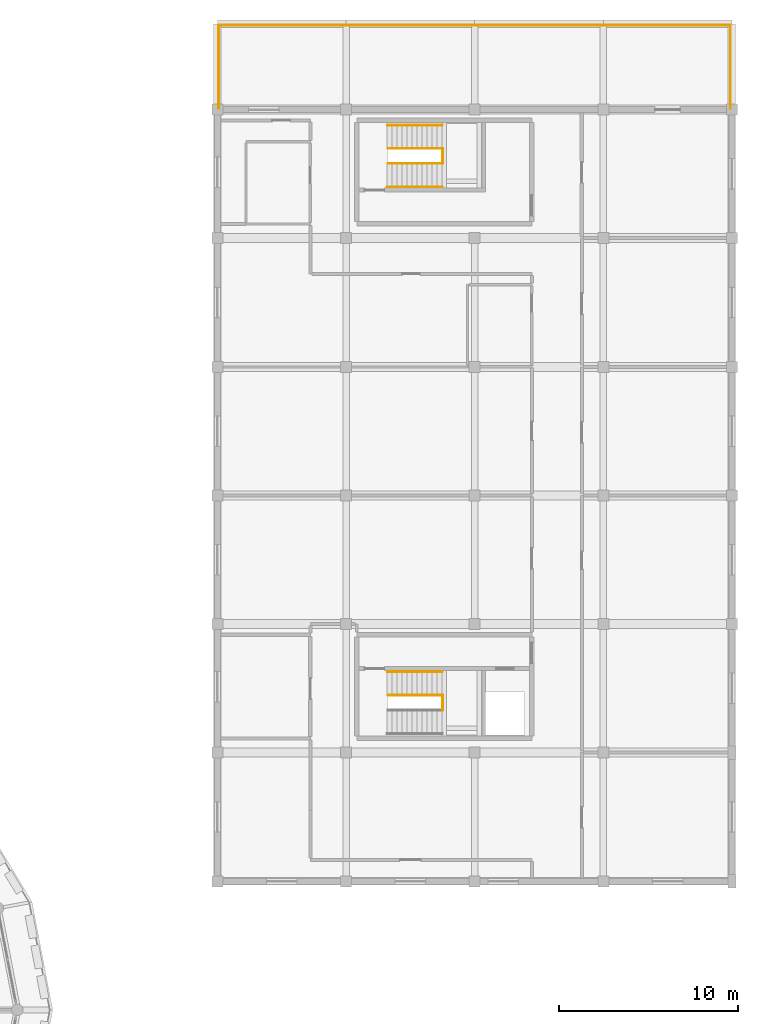
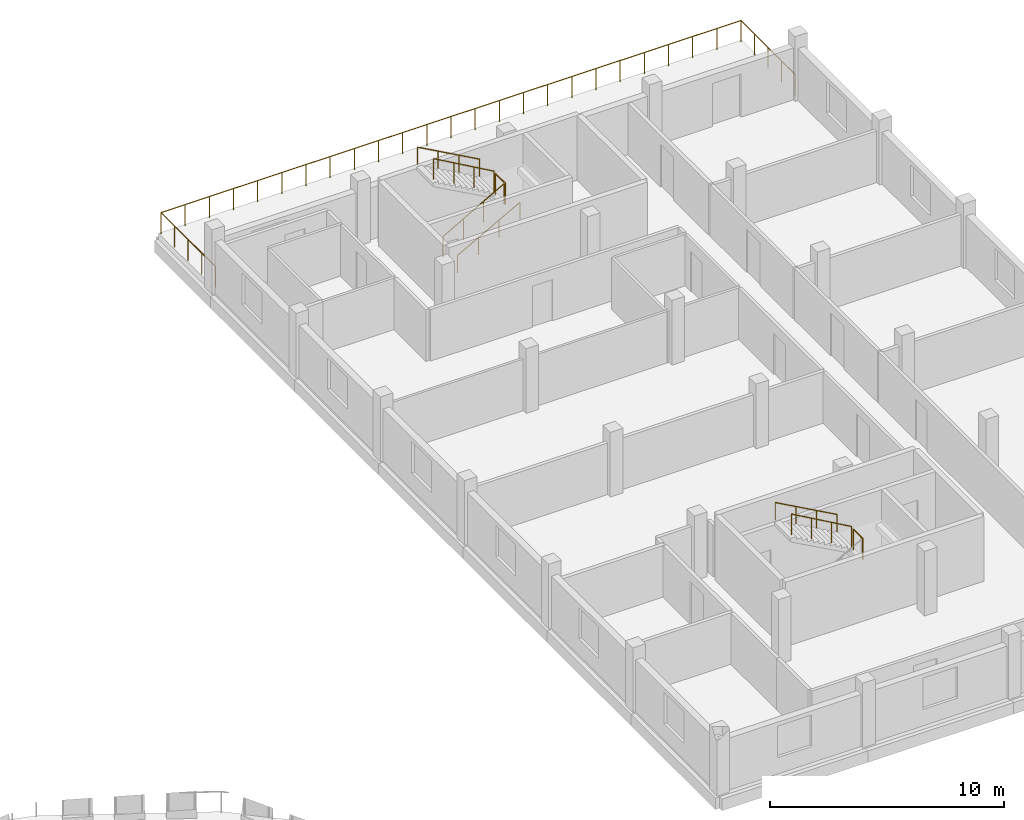
# One storey, part 84 of 84: 11 railings.
"""IFC4 building model written with IfcOpenShell, lengths in metres."""

from ifc_helpers import new_model, si_unit, direction, frame, origin, origin_2d, place, context, subcontext, project, spatial, circle, extrude, material, type_object, element, save


model = new_model("IFC4")

# Units and contexts
model_context = context("Model", 3, precision=1e-05, world=origin(), true_north=direction((0.0, 1.0)))
body_context = subcontext(model_context, "Body", "Model", "MODEL_VIEW")
ifc_project = project(units=[si_unit("LENGTHUNIT", "METRE"), si_unit("AREAUNIT", "SQUARE_METRE"), si_unit("VOLUMEUNIT", "CUBIC_METRE"), si_unit("PLANEANGLEUNIT", "RADIAN"), si_unit("MASSUNIT", "GRAM", prefix="KILO")], contexts=[model_context])

# Site, building, storey
site_placement = place(None, origin())
site = spatial("IfcSite", under=ifc_project, at=site_placement, CompositionType="ELEMENT")
building_placement = place(site_placement, origin())
building = spatial("IfcBuilding", under=site, at=building_placement, Name="Zornivar Specialist Clinic", CompositionType="ELEMENT")
storey_placement = place(building_placement, frame((0.0, 0.0, 12.300048828125)))
storey = spatial("IfcBuildingStorey", under=building, at=storey_placement, Name="L03", CompositionType="ELEMENT", Elevation=12.300048828125)

# Railings
ifc_material_1 = material(Name="Brushed Stainless Steel Stair Guardrail", Category="steel")
railing_type_1 = type_object("IfcRailingType", Name="GRD-INT-STAIR-1100", PredefinedType="GUARDRAIL", material=ifc_material_1)
railing_1_placement = place(storey_placement, frame((149.340087890625, 75.219970703125, 2.00390625)))
element("IfcRailing", 1, at=railing_1_placement, inside=storey, type_object=railing_type_1, Name="stair:C9:L03:grd2", PredefinedType="GUARDRAIL", context=body_context, shape_type="SweptSolid", body=[
    extrude(circle(Radius=0.02392578125, at=origin_2d()), frame((0.0, 0.0, 1.076171875), z_axis=(-0.869096283189, 0.0, 0.49464295259), x_axis=(0.0, -1.0, 0.0)), (0.0, 0.0, 1.0), 3.4287109375),
    extrude(circle(Radius=0.02099609375, at=origin_2d()), origin(), (0.0, 0.0, 1.0), 1.052001953125),
    extrude(circle(Radius=0.02099609375, at=origin_2d()), frame((-0.993408203125, 0.0, 0.5654296875)), (0.0, 0.0, 1.0), 1.052001953125),
    extrude(circle(Radius=0.02099609375, at=origin_2d()), frame((-1.986572265625, 0.0, 1.130615234375)), (0.0, 0.0, 1.0), 1.052001953125),
    extrude(circle(Radius=0.02099609375, at=origin_2d()), frame((-2.97998046875, 0.0, 1.696044921875)), (0.0, 0.0, 1.0), 1.052001953125),
])
railing_2_placement = place(storey_placement, frame((149.409912109375, 74.3798828125, 1.849853515625)))
element("IfcRailing", 2, at=railing_2_placement, inside=storey, type_object=railing_type_1, Name="stair:C9:L03:grdl", PredefinedType="GUARDRAIL", context=body_context, shape_type="SweptSolid", body=[
    extrude(circle(Radius=0.02392578125, at=origin_2d()), frame((0.0, 0.0, 1.076171875), z_axis=(0.0, 1.0, 0.0), x_axis=(-1.0, 0.0, 0.0)), (0.0, 0.0, 1.0), 0.840087890625),
    extrude(circle(Radius=0.02099609375, at=origin_2d()), origin(), (0.0, 0.0, 1.0), 1.052001953125),
    extrude(circle(Radius=0.02099609375, at=origin_2d()), frame((0.0, 0.840087890625, 0.0)), (0.0, 0.0, 1.0), 1.052001953125),
])
railing_3_placement = place(storey_placement, frame((146.340087890625, 104.97998046875, 0.154052734375)))
element("IfcRailing", 3, at=railing_3_placement, inside=storey, type_object=railing_type_1, Name="stair:C10:L03:grd1", PredefinedType="GUARDRAIL", context=body_context, shape_type="SweptSolid", body=[
    extrude(circle(Radius=0.02392578125, at=origin_2d()), frame((0.0, 0.0, 1.076171875), z_axis=(0.870544365607, 0.0, 0.492089938436), x_axis=(0.0, 1.0, 0.0)), (0.0, 0.0, 1.0), 3.446044921875),
    extrude(circle(Radius=0.02099609375, at=origin_2d()), origin(), (0.0, 0.0, 1.0), 1.052001953125),
    extrude(circle(Radius=0.02099609375, at=origin_2d()), frame((1.0, 0.0, 0.565185546875)), (0.0, 0.0, 1.0), 1.052001953125),
    extrude(circle(Radius=0.02099609375, at=origin_2d()), frame((2.0, 0.0, 1.130615234375)), (0.0, 0.0, 1.0), 1.052001953125),
    extrude(circle(Radius=0.02099609375, at=origin_2d()), frame((3.0, 0.0, 1.69580078125)), (0.0, 0.0, 1.0), 1.052001953125),
])
railing_4_placement = place(storey_placement, frame((149.340087890625, 105.820068359375, 2.00390625)))
element("IfcRailing", 4, at=railing_4_placement, inside=storey, type_object=railing_type_1, Name="stair:C10:L03:grd2", PredefinedType="GUARDRAIL", context=body_context, shape_type="SweptSolid", body=[
    extrude(circle(Radius=0.02392578125, at=origin_2d()), frame((0.0, 0.0, 1.076171875), z_axis=(-0.869096283189, 0.0, 0.49464295259), x_axis=(0.0, -1.0, 0.0)), (0.0, 0.0, 1.0), 3.4287109375),
    extrude(circle(Radius=0.02099609375, at=origin_2d()), origin(), (0.0, 0.0, 1.0), 1.052001953125),
    extrude(circle(Radius=0.02099609375, at=origin_2d()), frame((-0.993408203125, 0.0, 0.5654296875)), (0.0, 0.0, 1.0), 1.052001953125),
    extrude(circle(Radius=0.02099609375, at=origin_2d()), frame((-1.986572265625, 0.0, 1.130615234375)), (0.0, 0.0, 1.0), 1.052001953125),
    extrude(circle(Radius=0.02099609375, at=origin_2d()), frame((-2.97998046875, 0.0, 1.696044921875)), (0.0, 0.0, 1.0), 1.052001953125),
])
railing_5_placement = place(storey_placement, frame((149.409912109375, 104.97998046875, 1.849853515625)))
element("IfcRailing", 5, at=railing_5_placement, inside=storey, type_object=railing_type_1, Name="stair:C10:L03:grdl", PredefinedType="GUARDRAIL", context=body_context, shape_type="SweptSolid", body=[
    extrude(circle(Radius=0.02392578125, at=origin_2d()), frame((0.0, 0.0, 1.076171875), z_axis=(0.0, 1.0, 0.0), x_axis=(-1.0, 0.0, 0.0)), (0.0, 0.0, 1.0), 0.840087890625),
    extrude(circle(Radius=0.02099609375, at=origin_2d()), origin(), (0.0, 0.0, 1.0), 1.052001953125),
    extrude(circle(Radius=0.02099609375, at=origin_2d()), frame((0.0, 0.840087890625, 0.0)), (0.0, 0.0, 1.0), 1.052001953125),
])
ifc_material_2 = material(Name="Anodised Bronze Terrace Guardrail")
railing_type_2 = type_object("IfcRailingType", Name="GRD-TERR-GUARD-1120", PredefinedType="GUARDRAIL", material=ifc_material_2)
railing_6_placement = place(storey_placement, frame((165.52001953125, 108.080078125, 0.0)))
element("IfcRailing", 6, at=railing_6_placement, inside=storey, type_object=railing_type_2, Name="rail:V6:L03:terr:0:1", PredefinedType="GUARDRAIL", context=body_context, shape_type="SweptSolid", body=[
    extrude(circle(Radius=0.02392578125, at=origin_2d()), frame((0.0, 0.0, 1.09619140625), z_axis=(0.0, 1.0, 0.0), x_axis=(-1.0, 0.0, 0.0)), (0.0, 0.0, 1.0), 4.639892578125),
    extrude(circle(Radius=0.02099609375, at=origin_2d()), origin(), (0.0, 0.0, 1.0), 1.072021484375),
    extrude(circle(Radius=0.02099609375, at=origin_2d()), frame((0.0, 1.159912109375, 0.0)), (0.0, 0.0, 1.0), 1.072021484375),
    extrude(circle(Radius=0.02099609375, at=origin_2d()), frame((0.0, 2.31982421875, 0.0)), (0.0, 0.0, 1.0), 1.072021484375),
    extrude(circle(Radius=0.02099609375, at=origin_2d()), frame((0.0, 3.47998046875, 0.0)), (0.0, 0.0, 1.0), 1.072021484375),
    extrude(circle(Radius=0.02099609375, at=origin_2d()), frame((0.0, 4.639892578125, 0.0)), (0.0, 0.0, 1.0), 1.072021484375),
])
railing_7_placement = place(storey_placement, frame((165.52001953125, 112.719970703125, 0.0)))
element("IfcRailing", 7, at=railing_7_placement, inside=storey, type_object=railing_type_2, Name="rail:V6:L03:terr:0:2", PredefinedType="GUARDRAIL", context=body_context, shape_type="SweptSolid", body=[
    extrude(circle(Radius=0.02392578125, at=origin_2d()), frame((0.0, 0.0, 1.09619140625), z_axis=(-1.0, 0.0, 0.0), x_axis=(0.0, -1.0, 0.0)), (0.0, 0.0, 1.0), 28.64013671875),
    extrude(circle(Radius=0.02099609375, at=origin_2d()), origin(), (0.0, 0.0, 1.0), 1.072021484375),
    extrude(circle(Radius=0.02099609375, at=origin_2d()), frame((-1.193359375, 0.0, 0.0)), (0.0, 0.0, 1.0), 1.072021484375),
    extrude(circle(Radius=0.02099609375, at=origin_2d()), frame((-2.38671875, 0.0, 0.0)), (0.0, 0.0, 1.0), 1.072021484375),
    extrude(circle(Radius=0.02099609375, at=origin_2d()), frame((-3.580078125, 0.0, 0.0)), (0.0, 0.0, 1.0), 1.072021484375),
    extrude(circle(Radius=0.02099609375, at=origin_2d()), frame((-4.7734375, 0.0, 0.0)), (0.0, 0.0, 1.0), 1.072021484375),
    extrude(circle(Radius=0.02099609375, at=origin_2d()), frame((-5.966796875, 0.0, 0.0)), (0.0, 0.0, 1.0), 1.072021484375),
    extrude(circle(Radius=0.02099609375, at=origin_2d()), frame((-7.16015625, 0.0, 0.0)), (0.0, 0.0, 1.0), 1.072021484375),
    extrude(circle(Radius=0.02099609375, at=origin_2d()), frame((-8.353271484375, 0.0, 0.0)), (0.0, 0.0, 1.0), 1.072021484375),
    extrude(circle(Radius=0.02099609375, at=origin_2d()), frame((-9.546630859375, 0.0, 0.0)), (0.0, 0.0, 1.0), 1.072021484375),
    extrude(circle(Radius=0.02099609375, at=origin_2d()), frame((-10.739990234375, 0.0, 0.0)), (0.0, 0.0, 1.0), 1.072021484375),
    extrude(circle(Radius=0.02099609375, at=origin_2d()), frame((-11.933349609375, 0.0, 0.0)), (0.0, 0.0, 1.0), 1.072021484375),
    extrude(circle(Radius=0.02099609375, at=origin_2d()), frame((-13.126708984375, 0.0, 0.0)), (0.0, 0.0, 1.0), 1.072021484375),
    extrude(circle(Radius=0.02099609375, at=origin_2d()), frame((-14.320068359375, 0.0, 0.0)), (0.0, 0.0, 1.0), 1.072021484375),
    extrude(circle(Radius=0.02099609375, at=origin_2d()), frame((-15.513427734375, 0.0, 0.0)), (0.0, 0.0, 1.0), 1.072021484375),
    extrude(circle(Radius=0.02099609375, at=origin_2d()), frame((-16.706787109375, 0.0, 0.0)), (0.0, 0.0, 1.0), 1.072021484375),
    extrude(circle(Radius=0.02099609375, at=origin_2d()), frame((-17.900146484375, 0.0, 0.0)), (0.0, 0.0, 1.0), 1.072021484375),
    extrude(circle(Radius=0.02099609375, at=origin_2d()), frame((-19.093505859375, 0.0, 0.0)), (0.0, 0.0, 1.0), 1.072021484375),
    extrude(circle(Radius=0.02099609375, at=origin_2d()), frame((-20.286865234375, 0.0, 0.0)), (0.0, 0.0, 1.0), 1.072021484375),
    extrude(circle(Radius=0.02099609375, at=origin_2d()), frame((-21.47998046875, 0.0, 0.0)), (0.0, 0.0, 1.0), 1.072021484375),
    extrude(circle(Radius=0.02099609375, at=origin_2d()), frame((-22.67333984375, 0.0, 0.0)), (0.0, 0.0, 1.0), 1.072021484375),
    extrude(circle(Radius=0.02099609375, at=origin_2d()), frame((-23.86669921875, 0.0, 0.0)), (0.0, 0.0, 1.0), 1.072021484375),
    extrude(circle(Radius=0.02099609375, at=origin_2d()), frame((-25.06005859375, 0.0, 0.0)), (0.0, 0.0, 1.0), 1.072021484375),
    extrude(circle(Radius=0.02099609375, at=origin_2d()), frame((-26.25341796875, 0.0, 0.0)), (0.0, 0.0, 1.0), 1.072021484375),
    extrude(circle(Radius=0.02099609375, at=origin_2d()), frame((-27.44677734375, 0.0, 0.0)), (0.0, 0.0, 1.0), 1.072021484375),
    extrude(circle(Radius=0.02099609375, at=origin_2d()), frame((-28.64013671875, 0.0, 0.0)), (0.0, 0.0, 1.0), 1.072021484375),
])
railing_8_placement = place(storey_placement, frame((136.8798828125, 112.719970703125, 0.0)))
element("IfcRailing", 8, at=railing_8_placement, inside=storey, type_object=railing_type_2, Name="rail:V6:L03:terr:0:3", PredefinedType="GUARDRAIL", context=body_context, shape_type="SweptSolid", body=[
    extrude(circle(Radius=0.02392578125, at=origin_2d()), frame((0.0, 0.0, 1.09619140625), z_axis=(0.0, -1.0, 0.0), x_axis=(1.0, 0.0, 0.0)), (0.0, 0.0, 1.0), 4.639892578125),
    extrude(circle(Radius=0.02099609375, at=origin_2d()), origin(), (0.0, 0.0, 1.0), 1.072021484375),
    extrude(circle(Radius=0.02099609375, at=origin_2d()), frame((0.0, -1.159912109375, 0.0)), (0.0, 0.0, 1.0), 1.072021484375),
    extrude(circle(Radius=0.02099609375, at=origin_2d()), frame((0.0, -2.31982421875, 0.0)), (0.0, 0.0, 1.0), 1.072021484375),
    extrude(circle(Radius=0.02099609375, at=origin_2d()), frame((0.0, -3.47998046875, 0.0)), (0.0, 0.0, 1.0), 1.072021484375),
    extrude(circle(Radius=0.02099609375, at=origin_2d()), frame((0.0, -4.639892578125, 0.0)), (0.0, 0.0, 1.0), 1.072021484375),
])
ifc_material_3 = material(Name="Brushed Stainless Steel Continuous Handrail", Category="steel")
railing_type_3 = type_object("IfcRailingType", Name="HRL-STAIR-0920", PredefinedType="HANDRAIL", material=ifc_material_3)
railing_9_placement = place(storey_placement, frame((149.3798828125, 76.530029296875, 2.00390625)))
element("IfcRailing", 9, at=railing_9_placement, inside=storey, type_object=railing_type_3, Name="stair:C9:L03:hr2", PredefinedType="HANDRAIL", context=body_context, shape_type="SweptSolid", body=[
    extrude(circle(Radius=0.02392578125, at=origin_2d()), frame((0.0, 0.0, 0.89599609375), z_axis=(-0.874624303793, 0.0, 0.484801327571), x_axis=(0.0, -1.0, 0.0)), (0.0, 0.0, 1.0), 3.49853515625),
    extrude(circle(Radius=0.02099609375, at=origin_2d()), origin(), (0.0, 0.0, 1.0), 0.871826171875),
    extrude(circle(Radius=0.02099609375, at=origin_2d()), frame((-1.02001953125, 0.0, 0.5654296875)), (0.0, 0.0, 1.0), 0.871826171875),
    extrude(circle(Radius=0.02099609375, at=origin_2d()), frame((-2.039794921875, 0.0, 1.130615234375)), (0.0, 0.0, 1.0), 0.871826171875),
    extrude(circle(Radius=0.02099609375, at=origin_2d()), frame((-3.059814453125, 0.0, 1.696044921875)), (0.0, 0.0, 1.0), 0.871826171875),
])
railing_10_placement = place(storey_placement, frame((146.300048828125, 103.669921875, 0.154052734375)))
element("IfcRailing", 10, at=railing_10_placement, inside=storey, type_object=railing_type_3, Name="stair:C10:L03:hr1", PredefinedType="HANDRAIL", context=body_context, shape_type="SweptSolid", body=[
    extrude(circle(Radius=0.02392578125, at=origin_2d()), frame((0.0, 0.0, 0.89599609375), z_axis=(0.875988564427, 0.0, 0.482331872256), x_axis=(0.0, 1.0, 0.0)), (0.0, 0.0, 1.0), 3.515869140625),
    extrude(circle(Radius=0.02099609375, at=origin_2d()), origin(), (0.0, 0.0, 1.0), 0.871826171875),
    extrude(circle(Radius=0.02099609375, at=origin_2d()), frame((1.026611328125, 0.0, 0.565185546875)), (0.0, 0.0, 1.0), 0.871826171875),
    extrude(circle(Radius=0.02099609375, at=origin_2d()), frame((2.05322265625, 0.0, 1.130615234375)), (0.0, 0.0, 1.0), 0.871826171875),
    extrude(circle(Radius=0.02099609375, at=origin_2d()), frame((3.079833984375, 0.0, 1.69580078125)), (0.0, 0.0, 1.0), 0.871826171875),
])
railing_11_placement = place(storey_placement, frame((149.3798828125, 107.1298828125, 2.00390625)))
element("IfcRailing", 11, at=railing_11_placement, inside=storey, type_object=railing_type_3, Name="stair:C10:L03:hr2", PredefinedType="HANDRAIL", context=body_context, shape_type="SweptSolid", body=[
    extrude(circle(Radius=0.02392578125, at=origin_2d()), frame((0.0, 0.0, 0.89599609375), z_axis=(-0.874624303793, 0.0, 0.484801327571), x_axis=(0.0, -1.0, 0.0)), (0.0, 0.0, 1.0), 3.49853515625),
    extrude(circle(Radius=0.02099609375, at=origin_2d()), origin(), (0.0, 0.0, 1.0), 0.871826171875),
    extrude(circle(Radius=0.02099609375, at=origin_2d()), frame((-1.02001953125, 0.0, 0.5654296875)), (0.0, 0.0, 1.0), 0.871826171875),
    extrude(circle(Radius=0.02099609375, at=origin_2d()), frame((-2.039794921875, 0.0, 1.130615234375)), (0.0, 0.0, 1.0), 0.871826171875),
    extrude(circle(Radius=0.02099609375, at=origin_2d()), frame((-3.059814453125, 0.0, 1.696044921875)), (0.0, 0.0, 1.0), 0.871826171875),
])

save(model, "model.ifc")
